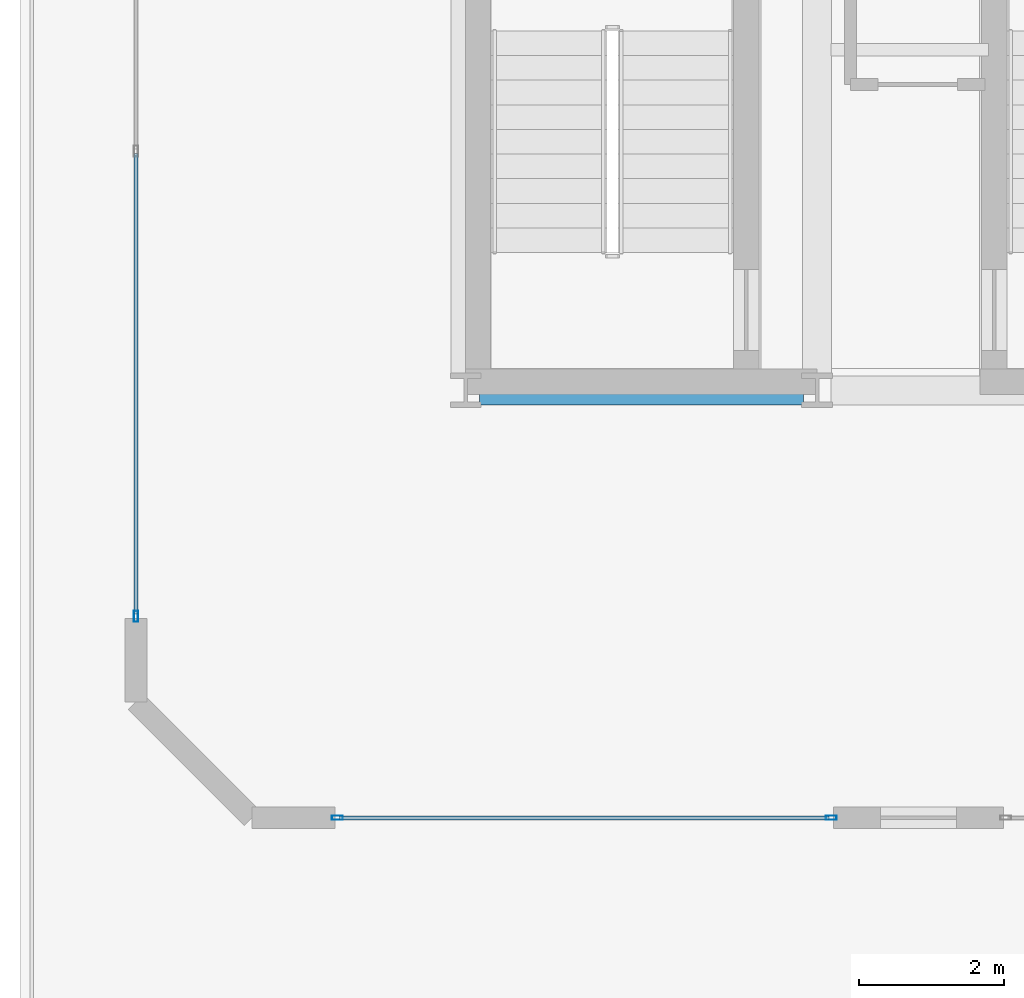
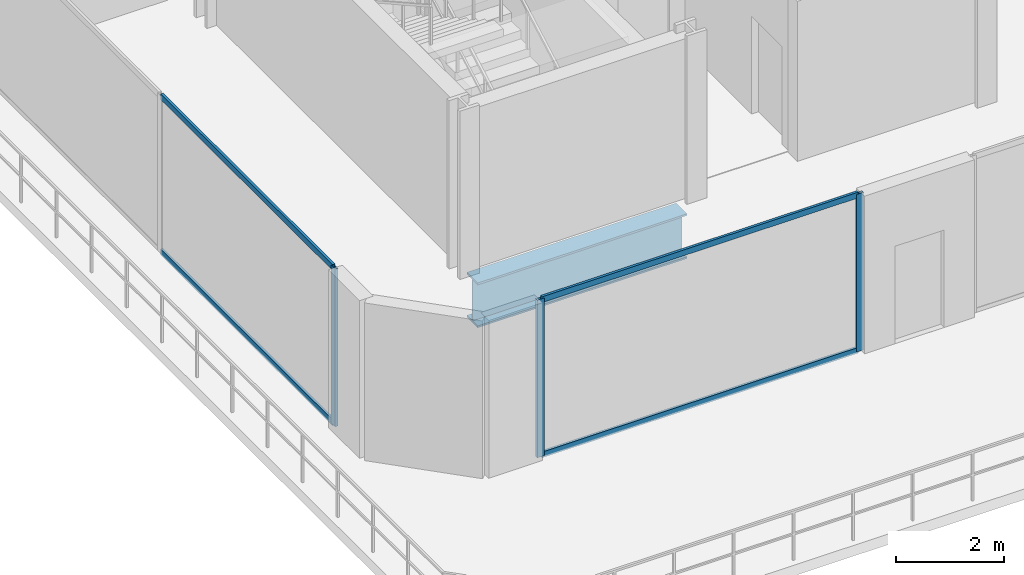
# One storey, part 2 of 12: 7 members, 1 beam, 2 elements without a shape of their own.
"""IFC4 building model written with IfcOpenShell, lengths in metres."""

from ifc_helpers import new_model, si_unit, direction, frame, origin, origin_2d, place, context, subcontext, project, spatial, hollow_rectangle, i_section, extrude, material, layer, layer_set, material_profile, profile_set, type_object, element, aggregate, save


model = new_model("IFC4")

# Units and contexts
model_context = context("Model", 3, precision=1e-05, world=origin(), true_north=direction((0.0, 1.0)))
body_context = subcontext(model_context, "Body", "Model", "MODEL_VIEW")
ifc_project = project(units=[si_unit("LENGTHUNIT", "METRE"), si_unit("AREAUNIT", "SQUARE_METRE"), si_unit("VOLUMEUNIT", "CUBIC_METRE"), si_unit("PLANEANGLEUNIT", "RADIAN"), si_unit("MASSUNIT", "GRAM", prefix="KILO")], contexts=[model_context])

# Site, building, storey
site_placement = place(None, origin())
site = spatial("IfcSite", under=ifc_project, at=site_placement, CompositionType="ELEMENT")
building_placement = place(site_placement, origin())
building = spatial("IfcBuilding", under=site, at=building_placement, Name="Zuhayl Quay Hotel", CompositionType="ELEMENT")
storey_placement = place(building_placement, frame((0.0, 0.0, 312.449951171875)))
storey = spatial("IfcBuildingStorey", under=building, at=storey_placement, Name="Crown 5", CompositionType="ELEMENT", Elevation=312.449951171875)

# Beam
ifc_material_1 = material(Name="Steel ASTM A992 Grade 50", Category="steel")
ifc_material_profile_1 = material_profile(ifc_material_1, i_section(OverallWidth=0.40087890625, OverallDepth=1.010986328125, WebThickness=0.023681640625, FlangeThickness=0.0419921875, at=origin_2d()), Name="W40X297")
ifc_profile_set_1 = profile_set([ifc_material_profile_1], Name="Steel ASTM A992 Grade 50")
beam_type = type_object("IfcBeamType", Name="BM_TG2_W40X297", PredefinedType="BEAM", material=ifc_profile_set_1)
beam_placement = place(storey_placement, frame((-9.260009765625, 25.10009765625, -0.745361328125), z_axis=(1.0, 0.0, 0.0), x_axis=(0.0, 1.0, 0.0)))
element("IfcBeam", 1, at=beam_placement, inside=storey, type_object=beam_type, Name="Crown 5 Floor Beam CR_EW_5_1_1", PredefinedType="BEAM", context=body_context, shape_type="SweptSolid", body=[
    extrude(i_section(OverallWidth=0.40087890625, OverallDepth=1.010986328125, WebThickness=0.023681640625, FlangeThickness=0.0419921875, at=origin_2d()), origin(), (0.0, 0.0, 1.0), 4.469970703125),
])

# Curtain wall, member
ifc_material_2 = material(Name="Anodised Aluminium 6063-T6", Category="aluminium")
ifc_layer = layer(ifc_material_2, 0.159912109375, Name="Anodised Aluminium 6063-T6", Category="aluminium")
ifc_layer_set = layer_set([ifc_layer], Name="Anodised Aluminium 6063-T6")
curtain_wall_type = type_object("IfcCurtainWallType", Name="CW_SYS_CRN", PredefinedType="USERDEFINED", material=ifc_layer_set)
curtain_wall_1_placement = place(storey_placement, origin())
curtain_wall_1 = element("IfcCurtainWall", 2, at=curtain_wall_1_placement, inside=storey, type_object=curtain_wall_type, Name="Crown 5 Curtain Wall ENV_CR5_E1_CW1", ObjectType="UNITISED CURTAIN WALL", PredefinedType="USERDEFINED")
ifc_material_3 = material(Name="Black-anodised aluminium 6063-T6", Category="aluminium")
ifc_material_profile_2 = material_profile(ifc_material_3, hollow_rectangle(XDim=0.06005859375, YDim=0.14990234375, WallThickness=0.00341796875, at=origin_2d()), Name="ALU150X60")
ifc_profile_set_2 = profile_set([ifc_material_profile_2], Name="Black-anodised aluminium 6063-T6")
member_type_1 = type_object("IfcMemberType", Name="MB_CW_MUL_150", PredefinedType="MULLION", material=ifc_profile_set_2)
member_1_placement = place(storey_placement, frame((-14.0, 21.97998046875, 0.0), z_axis=(0.0, 0.0, 1.0), x_axis=(-1.0, 0.0, 0.0)))
member_1 = element("IfcMember", 3, at=member_1_placement, type_object=member_type_1, Name="CW-CRN mullion 1", PredefinedType="MULLION", context=body_context, shape_type="SweptSolid", body=[
    extrude(hollow_rectangle(XDim=0.06005859375, YDim=0.14990234375, WallThickness=0.00341796875, at=origin_2d()), origin(), (0.0, 0.0, 1.0), 3.56005859375),
])

# Curtain wall, members
curtain_wall_2_placement = place(storey_placement, origin())
curtain_wall_2 = element("IfcCurtainWall", 4, at=curtain_wall_2_placement, inside=storey, type_object=curtain_wall_type, Name="Crown 5 Curtain Wall ENV_CR5_E7_CW2", ObjectType="UNITISED CURTAIN WALL", PredefinedType="USERDEFINED")
member_2_placement = place(storey_placement, frame((-4.405029296875, 19.199951171875, 0.0), z_axis=(0.0, 0.0, 1.0), x_axis=(0.0, -1.0, 0.0)))
member_2 = element("IfcMember", 5, at=member_2_placement, type_object=member_type_1, Name="CW-CRN mullion 1", PredefinedType="MULLION", context=body_context, shape_type="SweptSolid", body=[
    extrude(hollow_rectangle(XDim=0.06005859375, YDim=0.14990234375, WallThickness=0.00341796875, at=origin_2d()), origin(), (0.0, 0.0, 1.0), 3.56005859375),
])
member_3_placement = place(storey_placement, frame((-11.219970703125, 19.199951171875, 0.0), z_axis=(0.0, 0.0, 1.0), x_axis=(0.0, -1.0, 0.0)))
member_3 = element("IfcMember", 6, at=member_3_placement, type_object=member_type_1, Name="CW-CRN mullion 2", PredefinedType="MULLION", context=body_context, shape_type="SweptSolid", body=[
    extrude(hollow_rectangle(XDim=0.06005859375, YDim=0.14990234375, WallThickness=0.00341796875, at=origin_2d()), origin(), (0.0, 0.0, 1.0), 3.56005859375),
])

# Member
ifc_material_profile_3 = material_profile(ifc_material_3, hollow_rectangle(XDim=0.054931640625, YDim=0.1298828125, WallThickness=0.0029296875, at=origin_2d()), Name="ALU130X55")
ifc_profile_set_3 = profile_set([ifc_material_profile_3], Name="Black-anodised aluminium 6063-T6")
member_type_2 = type_object("IfcMemberType", Name="MB_CW_TRN_130", PredefinedType="USERDEFINED", material=ifc_profile_set_3)
member_4_placement = place(storey_placement, frame((-14.0, 22.010009765625, 0.027587890625), z_axis=(0.0, 1.0, 0.0), x_axis=(-1.0, 0.0, 0.0)))
member_4 = element("IfcMember", 7, at=member_4_placement, type_object=member_type_2, Name="CW-CRN transom 1.1", ObjectType="TRANSOM", PredefinedType="USERDEFINED", context=body_context, shape_type="SweptSolid", body=[
    extrude(hollow_rectangle(XDim=0.054931640625, YDim=0.1298828125, WallThickness=0.0029296875, at=origin_2d()), origin(), (0.0, 0.0, 1.0), 6.360107421875),
])

member_5_placement = place(storey_placement, frame((-14.0, 22.010009765625, 3.532470703125), z_axis=(0.0, 1.0, 0.0), x_axis=(-1.0, 0.0, 0.0)))
member_5 = element("IfcMember", 8, at=member_5_placement, type_object=member_type_2, Name="CW-CRN transom 1.2", ObjectType="TRANSOM", PredefinedType="USERDEFINED", context=body_context, shape_type="SweptSolid", body=[
    extrude(hollow_rectangle(XDim=0.054931640625, YDim=0.1298828125, WallThickness=0.0029296875, at=origin_2d()), origin(), (0.0, 0.0, 1.0), 6.360107421875),
])

aggregate(curtain_wall_1, [member_1, member_4, member_5])

member_6_placement = place(storey_placement, frame((-4.43505859375, 19.199951171875, 0.027587890625), z_axis=(-1.0, 0.0, 0.0), x_axis=(0.0, -1.0, 0.0)))
member_6 = element("IfcMember", 9, at=member_6_placement, type_object=member_type_2, Name="CW-CRN transom 1.1", ObjectType="TRANSOM", PredefinedType="USERDEFINED", context=body_context, shape_type="SweptSolid", body=[
    extrude(hollow_rectangle(XDim=0.054931640625, YDim=0.1298828125, WallThickness=0.0029296875, at=origin_2d()), origin(), (0.0, 0.0, 1.0), 6.7548828125),
])

member_7_placement = place(storey_placement, frame((-4.43505859375, 19.199951171875, 3.532470703125), z_axis=(-1.0, 0.0, 0.0), x_axis=(0.0, -1.0, 0.0)))
member_7 = element("IfcMember", 10, at=member_7_placement, type_object=member_type_2, Name="CW-CRN transom 1.2", ObjectType="TRANSOM", PredefinedType="USERDEFINED", context=body_context, shape_type="SweptSolid", body=[
    extrude(hollow_rectangle(XDim=0.054931640625, YDim=0.1298828125, WallThickness=0.0029296875, at=origin_2d()), origin(), (0.0, 0.0, 1.0), 6.7548828125),
])

aggregate(curtain_wall_2, [member_2, member_3, member_6, member_7])

save(model, "model.ifc")
